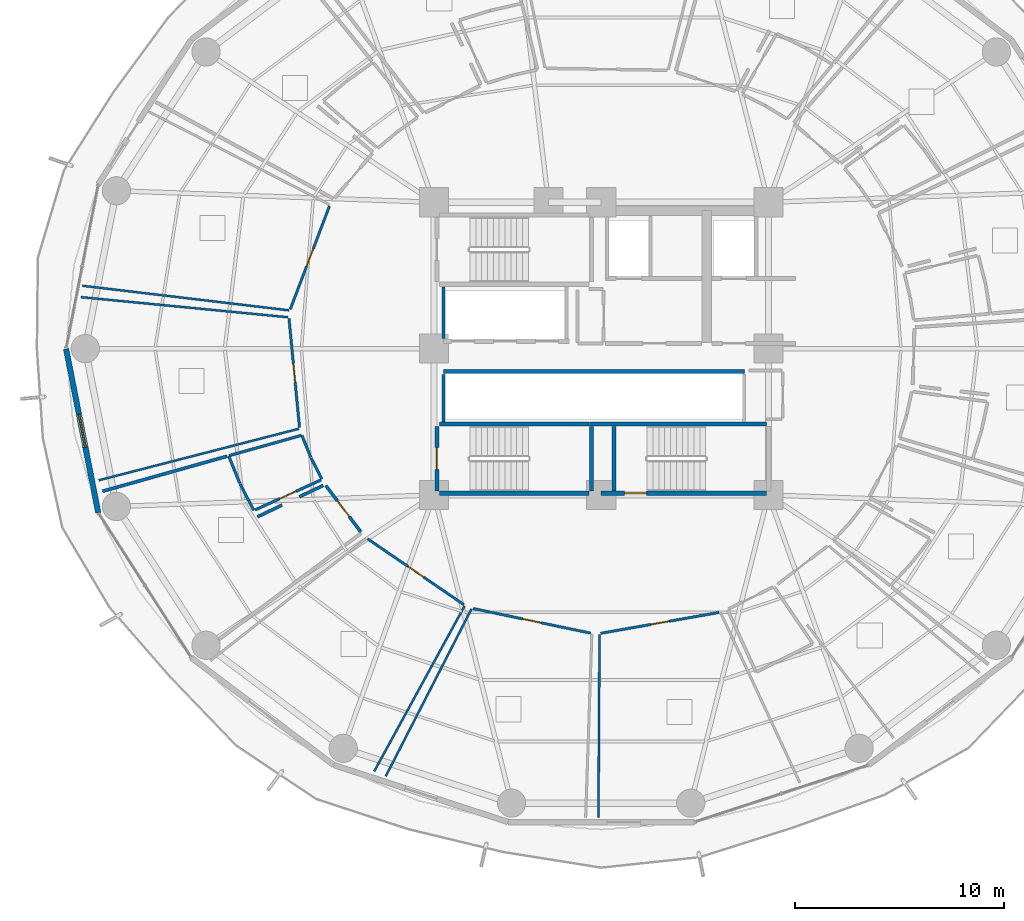
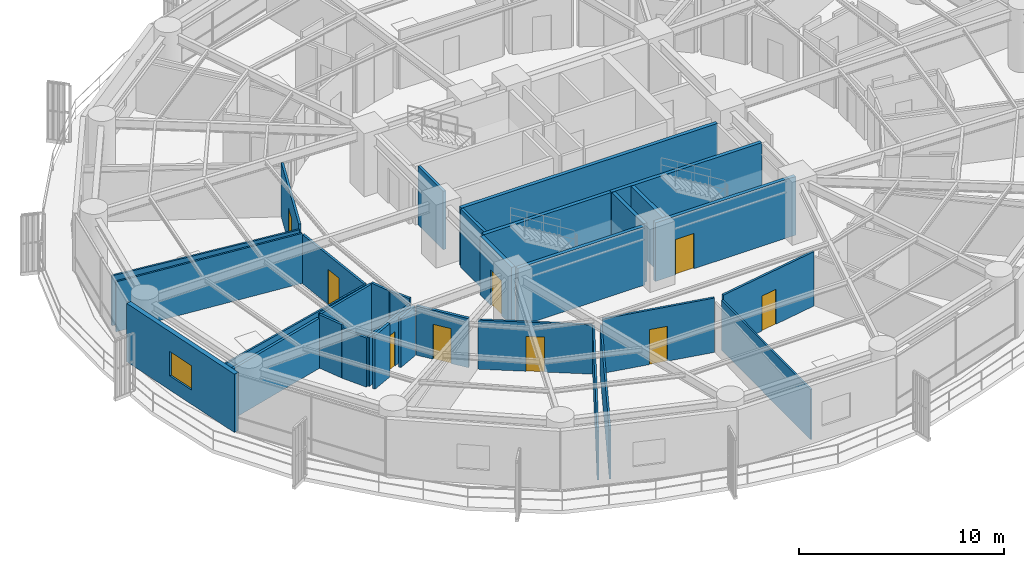
# One storey, part 27 of 36: 32 walls, 9 doors, 1 window, 10 openings.
"""IFC4 building model written with IfcOpenShell, lengths in metres."""

from ifc_helpers import new_model, si_unit, direction, frame, frame_2d, origin, place, context, subcontext, project, spatial, rectangle, extrude, material, layer, layer_set, type_object, element, fill, save


model = new_model("IFC4")

# Units and contexts
model_context = context("Model", 3, precision=1e-05, world=origin(), true_north=direction((0.0, 1.0)))
body_context = subcontext(model_context, "Body", "Model", "MODEL_VIEW")
ifc_project = project(units=[si_unit("LENGTHUNIT", "METRE"), si_unit("AREAUNIT", "SQUARE_METRE"), si_unit("VOLUMEUNIT", "CUBIC_METRE"), si_unit("PLANEANGLEUNIT", "RADIAN"), si_unit("MASSUNIT", "GRAM", prefix="KILO")], contexts=[model_context])

# Site, building, storey
site_placement = place(None, origin())
site = spatial("IfcSite", under=ifc_project, at=site_placement, CompositionType="ELEMENT")
building_placement = place(site_placement, origin())
building = spatial("IfcBuilding", under=site, at=building_placement, Name="Kelanora Arch Commons", CompositionType="ELEMENT")
storey_placement = place(building_placement, frame((0.0, 0.0, 98.85009765625)))
storey = spatial("IfcBuildingStorey", under=building, at=storey_placement, Name="L25", CompositionType="ELEMENT", Elevation=98.85009765625)

# Walls
ifc_material_1 = material(Name="Autoclaved aerated concrete blockwork with fire plaster", Category="masonry")
ifc_layer_1 = layer(ifc_material_1, 0.14990234375)
ifc_layer_set_1 = layer_set([ifc_layer_1], Name="Autoclaved aerated concrete blockwork with fire plaster")
wall_type_1 = type_object("IfcWallType", Name="W-COMP-150", PredefinedType="PARTITIONING", material=ifc_layer_set_1)
wall_1_placement = place(storey_placement, frame((66.4599609375, 58.47998046875, 0.0), z_axis=(0.0, 0.0, 1.0), x_axis=(0.0, 1.0, 0.0)))
element("IfcWall", 1, at=wall_1_placement, inside=storey, type_object=wall_type_1, Name="Low-Rise Lift Bank West Wall L25", PredefinedType="PARTITIONING", context=body_context, shape_type="SweptSolid", body=[
    extrude(rectangle(XDim=2.4599609375, YDim=0.14990234375, at=frame_2d((1.22998046875, 0.0))), origin(), (0.0, 0.0, 1.0), 3.47998046875),
])
wall_2_placement = place(storey_placement, frame((66.4599609375, 54.47998046875, 0.0), z_axis=(0.0, 0.0, 1.0), x_axis=(0.0, 1.0, 0.0)))
element("IfcWall", 2, at=wall_2_placement, inside=storey, type_object=wall_type_1, Name="South Lift Bank West Wall L25", PredefinedType="PARTITIONING", context=body_context, shape_type="SweptSolid", body=[
    extrude(rectangle(XDim=2.2900390625, YDim=0.14990234375, at=frame_2d((1.14501953125, 0.0))), origin(), (0.0, 0.0, 1.0), 3.47998046875),
])

# Wall, opening, door
wall_3_placement = place(storey_placement, frame((60.8271484375, 51.4501953125, 0.0), z_axis=(0.0, 0.0, 1.0), x_axis=(0.602330864847, -0.798246534131, 0.0)))
wall_3 = element("IfcWall", 3, at=wall_3_placement, inside=storey, type_object=wall_type_1, Name="Co-Living Studio L25-09 Entry Partition", PredefinedType="PARTITIONING", context=body_context, shape_type="SweptSolid", body=[
    extrude(rectangle(XDim=2.77880859375, YDim=0.14990234375, at=frame_2d((1.389404296875, 0.0))), origin(), (0.0, 0.0, 1.0), 2.9248046875),
])
opening_1_placement = place(wall_3_placement, frame((0.9140625, 0.0, 0.0)))
opening_1 = element("IfcOpeningElement", 4, at=opening_1_placement, cuts=wall_3, Name="Opening D-CLU1", PredefinedType="OPENING", context=body_context, shape_type="SweptSolid", body=[
    extrude(rectangle(XDim=0.949951171875, YDim=2.080078125, at=frame_2d((0.47509765625, 1.0400390625))), frame((0.0, 0.0849609375, 0.0), z_axis=(0.0, -1.0, 0.0), x_axis=(1.0, 0.0, 0.0)), (0.0, 0.0, 1.0), 0.169921875),
])
ifc_material_2 = material(Name="Solid-core acoustic timber cluster entry fire door", Category="wood")
door_type_1 = type_object("IfcDoorType", Name="D-CLU-95", OperationType="NOTDEFINED", PredefinedType="DOOR", material=ifc_material_2)
door_1_placement = place(opening_1_placement, origin())
door_1 = element("IfcDoor", 5, at=door_1_placement, inside=storey, type_object=door_type_1, Name="Co-Living Studio L25-09 Door", OperationType="SINGLE_SWING_LEFT", OverallHeight=2.080078125, OverallWidth=0.949951171875, PredefinedType="DOOR", context=body_context, shape_type="SweptSolid", body=[
    extrude(rectangle(XDim=0.949951171875, YDim=2.080078125, at=frame_2d((0.47509765625, 1.0400390625))), frame((0.0, 0.02490234375, 0.0), z_axis=(0.0, -1.0, 0.0), x_axis=(1.0, 0.0, 0.0)), (0.0, 0.0, 1.0), 0.050048828125),
])
fill(opening_1, door_1)

# Walls
wall_4_placement = place(storey_placement, frame((50.1455078125, 51.17578125, 0.0), z_axis=(0.0, 0.0, 1.0), x_axis=(0.962685643461, 0.270622157028, 0.0)))
element("IfcWall", 6, at=wall_4_placement, inside=storey, type_object=wall_type_1, Name="Co-Living Studio L25-09 Enclosure Partition 5", PredefinedType="PARTITIONING", context=body_context, shape_type="SweptSolid", body=[
    extrude(rectangle(XDim=6.18701171875, YDim=0.14990234375, at=frame_2d((3.093505859375, 0.0))), origin(), (0.0, 0.0, 1.0), 2.974853515625),
])
wall_5_placement = place(storey_placement, frame((57.55908203125, 49.953125, 0.0), z_axis=(0.0, 0.0, 1.0), x_axis=(0.902185129063, 0.431349038364, 0.0)))
element("IfcWall", 7, at=wall_5_placement, inside=storey, type_object=wall_type_1, Name="Co-Living Studio L25-09 Enclosure Partition 7", PredefinedType="PARTITIONING", context=body_context, shape_type="SweptSolid", body=[
    extrude(rectangle(XDim=1.29833984375, YDim=0.14990234375, at=frame_2d((0.649169921875, 0.0))), origin(), (0.0, 0.0, 1.0), 3.1748046875),
])
wall_6_placement = place(storey_placement, frame((59.560546875, 50.909912109375, 0.0), z_axis=(0.0, 0.0, 1.0), x_axis=(0.902228812368, 0.431257660955, 0.0)))
element("IfcWall", 8, at=wall_6_placement, inside=storey, type_object=wall_type_1, Name="Co-Living Studio L25-09 Enclosure Partition 7", PredefinedType="PARTITIONING", context=body_context, shape_type="SweptSolid", body=[
    extrude(rectangle(XDim=1.266357421875, YDim=0.14990234375, at=frame_2d((0.63330078125, 0.0))), origin(), (0.0, 0.0, 1.0), 2.9248046875),
])

# Wall, opening, window
ifc_material_3 = material(Name="Precast concrete C40/50 with terracotta rainscreen", Category="masonry")
ifc_layer_2 = layer(ifc_material_3, 0.260009765625)
ifc_layer_set_2 = layer_set([ifc_layer_2], Name="Precast concrete C40/50 with terracotta rainscreen")
wall_type_2 = type_object("IfcWallType", Name="W-EXT-TC", PredefinedType="SOLIDWALL", material=ifc_layer_set_2)
wall_7_placement = place(storey_placement, frame((48.40283203125, 57.9853515625, 0.0), z_axis=(0.0, 0.0, 1.0), x_axis=(0.192581843632, -0.981280914674, 0.0)))
wall_7 = element("IfcWall", 9, at=wall_7_placement, inside=storey, type_object=wall_type_2, Name="Terracotta Exterior Wall L25-B09", PredefinedType="SOLIDWALL", context=body_context, shape_type="SweptSolid", body=[
    extrude(rectangle(XDim=7.986572265625, YDim=0.260009765625, at=frame_2d((3.9931640625, 0.0))), origin(), (0.0, 0.0, 1.0), 3.474853515625),
])
opening_2_placement = place(wall_7_placement, frame((3.193115234375, 0.0, 0.85009765625)))
opening_2 = element("IfcOpeningElement", 10, at=opening_2_placement, cuts=wall_7, Name="Opening WN-01", PredefinedType="OPENING", context=body_context, shape_type="SweptSolid", body=[
    extrude(rectangle(XDim=1.60009765625, YDim=1.449951171875, at=frame_2d((0.800048828125, 0.72509765625))), frame((0.0, 0.14013671875, 0.0), z_axis=(0.0, -1.0, 0.0), x_axis=(1.0, 0.0, 0.0)), (0.0, 0.0, 1.0), 0.280029296875),
])
ifc_material_4 = material(Name="Terracotta-anodised aluminium frame with operable low-E glazing", Category="masonry")
window_type = type_object("IfcWindowType", Name="WIN-CL-18", PartitioningType="DOUBLE_PANEL_VERTICAL", PredefinedType="WINDOW", material=ifc_material_4)
window_placement = place(opening_2_placement, origin())
window = element("IfcWindow", 11, at=window_placement, inside=storey, type_object=window_type, Name="Co-Living Operable Window L25-B09", OverallHeight=1.449951171875, OverallWidth=1.60009765625, PartitioningType="SINGLE_PANEL", PredefinedType="WINDOW", context=body_context, shape_type="SweptSolid", body=[
    extrude(rectangle(XDim=1.60009765625, YDim=1.449951171875, at=frame_2d((0.800048828125, 0.72509765625))), frame((0.0, 0.030029296875, 0.0), z_axis=(0.0, -1.0, 0.0), x_axis=(1.0, 0.0, 0.0)), (0.0, 0.0, 1.0), 0.06005859375),
])
fill(opening_2, window)

# Walls
ifc_material_5 = material(Name="Concrete C40/50", Category="concrete")
ifc_layer_3 = layer(ifc_material_5, 0.199951171875)
ifc_layer_set_3 = layer_set([ifc_layer_3], Name="Concrete C40/50")
wall_type_3 = type_object("IfcWallType", Name="W-FFL-200", PredefinedType="SOLIDWALL", material=ifc_layer_set_3)
wall_8_placement = place(storey_placement, frame((66.449951171875, 56.89990234375, 0.0), z_axis=(0.0, 0.0, 1.0), x_axis=(1.0, 0.0, 0.0)))
element("IfcWall", 12, at=wall_8_placement, inside=storey, type_object=wall_type_3, Name="Mid/High/Express Lift Shaft Front L25", PredefinedType="SOLIDWALL", context=body_context, shape_type="SweptSolid", body=[
    extrude(rectangle(XDim=14.400146484375, YDim=0.199951171875, at=frame_2d((7.2001953125, 0.0))), origin(), (0.0, 0.0, 1.0), 3.47998046875),
])
ifc_material_6 = material(Name="Lightweight fire-rated acoustic stud partition")
ifc_layer_4 = layer(ifc_material_6, 0.10009765625)
ifc_layer_set_4 = layer_set([ifc_layer_4], Name="Lightweight fire-rated acoustic stud partition")
wall_type_4 = type_object("IfcWallType", Name="W-PART-100", PredefinedType="PARTITIONING", material=ifc_layer_set_4)
wall_9_placement = place(storey_placement, frame((59.06640625, 59.830810546875, 0.0), z_axis=(0.0, 0.0, 1.0), x_axis=(-0.99298532521, 0.118237658624, 0.0)))
element("IfcWall", 13, at=wall_9_placement, inside=storey, type_object=wall_type_4, Name="Social Sky Lounge L25-07 Enclosure Partition 2", PredefinedType="PARTITIONING", context=body_context, shape_type="SweptSolid", body=[
    extrude(rectangle(XDim=9.950439453125, YDim=0.10009765625, at=frame_2d((4.97509765625, 0.0))), origin(), (0.0, 0.0, 1.0), 2.974853515625),
])
wall_10_placement = place(storey_placement, frame((59.535400390625, 54.1650390625, 0.0), z_axis=(0.0, 0.0, 1.0), x_axis=(-0.968404670054, -0.249384031201, 0.0)))
element("IfcWall", 14, at=wall_10_placement, inside=storey, type_object=wall_type_4, Name="Quiet Seminar Study Room L25-08 Enclosure Partition 2", PredefinedType="PARTITIONING", context=body_context, shape_type="SweptSolid", body=[
    extrude(rectangle(XDim=9.880859375, YDim=0.10009765625, at=frame_2d((4.9404296875, 0.0))), origin(), (0.0, 0.0, 1.0), 2.974853515625),
])
wall_11_placement = place(storey_placement, frame((49.11083984375, 60.463134765625, 0.0), z_axis=(0.0, 0.0, 1.0), x_axis=(0.995310801703, -0.096728527399, 0.0)))
element("IfcWall", 15, at=wall_11_placement, inside=storey, type_object=wall_type_4, Name="Quiet Seminar Study Room L25-08 Enclosure Partition 4", PredefinedType="PARTITIONING", context=body_context, shape_type="SweptSolid", body=[
    extrude(rectangle(XDim=9.95703125, YDim=0.10009765625, at=frame_2d((4.978515625, 0.0))), origin(), (0.0, 0.0, 1.0), 2.974853515625),
])
wall_12_placement = place(storey_placement, frame((67.462890625, 45.682861328125, 0.0), z_axis=(0.0, 0.0, 1.0), x_axis=(-0.479571724153, -0.87750268455, 0.0)))
element("IfcWall", 16, at=wall_12_placement, inside=storey, type_object=wall_type_4, Name="Communal Dining and Social Hall L25-10 Enclosure Partition 2", PredefinedType="PARTITIONING", context=body_context, shape_type="SweptSolid", body=[
    extrude(rectangle(XDim=9.007080078125, YDim=0.10009765625, at=frame_2d((4.50341796875, 0.0))), origin(), (0.0, 0.0, 1.0), 2.9248046875),
])
wall_13_placement = place(storey_placement, frame((63.697265625, 37.547607421875, 0.0), z_axis=(0.0, 0.0, 1.0), x_axis=(0.456266444918, 0.889843205987, 0.0)))
element("IfcWall", 17, at=wall_13_placement, inside=storey, type_object=wall_type_4, Name="Quiet Seminar Study Room L25-11 Enclosure Partition 4", PredefinedType="PARTITIONING", context=body_context, shape_type="SweptSolid", body=[
    extrude(rectangle(XDim=8.984619140625, YDim=0.10009765625, at=frame_2d((4.4921875, 0.0))), origin(), (0.0, 0.0, 1.0), 2.9248046875),
])
wall_14_placement = place(storey_placement, frame((73.869140625, 35.56005859375, 0.0), z_axis=(0.0, 0.0, 1.0), x_axis=(0.005901573079, 0.999982585566, 0.0)))
element("IfcWall", 18, at=wall_14_placement, inside=storey, type_object=wall_type_4, Name="Quiet Seminar Study Room L25-12 Enclosure Partition 4", PredefinedType="PARTITIONING", context=body_context, shape_type="SweptSolid", body=[
    extrude(rectangle(XDim=8.770263671875, YDim=0.10009765625, at=frame_2d((4.38525390625, 0.0))), origin(), (0.0, 0.0, 1.0), 2.974853515625),
])

# Wall, opening, door
ifc_material_7 = material(Name="Acoustic twin-stud fire-rated gypsum partition")
ifc_layer_5 = layer(ifc_material_7, 0.1201171875)
ifc_layer_set_5 = layer_set([ifc_layer_5], Name="Acoustic twin-stud fire-rated gypsum partition")
wall_type_5 = type_object("IfcWallType", Name="W-PART-120", PredefinedType="PARTITIONING", material=ifc_layer_set_5)
wall_15_placement = place(storey_placement, frame((61.001708984375, 64.82080078125, 0.0), z_axis=(0.0, 0.0, 1.0), x_axis=(-0.354853458438, -0.934921934193, 0.0)))
wall_15 = element("IfcWall", 19, at=wall_15_placement, inside=storey, type_object=wall_type_5, Name="Social Sky Lounge L25-07 Entry Partition", PredefinedType="PARTITIONING", context=body_context, shape_type="SweptSolid", body=[
    extrude(rectangle(XDim=5.282470703125, YDim=0.1201171875, at=frame_2d((2.64111328125, 0.0))), origin(), (0.0, 0.0, 1.0), 3.23486328125),
])
opening_3_placement = place(wall_15_placement, frame((2.19091796875, 0.0, 0.0)))
opening_3 = element("IfcOpeningElement", 20, at=opening_3_placement, cuts=wall_15, Name="Opening D-RM1", PredefinedType="OPENING", context=body_context, shape_type="SweptSolid", body=[
    extrude(rectangle(XDim=0.89990234375, YDim=2.080078125, at=frame_2d((0.449951171875, 1.0400390625))), frame((0.0, 0.070068359375, 0.0), z_axis=(0.0, -1.0, 0.0), x_axis=(1.0, 0.0, 0.0)), (0.0, 0.0, 1.0), 0.14013671875),
])
ifc_material_8 = material(Name="Acoustic fire-rated timber study and lounge door", Category="wood")
door_type_2 = type_object("IfcDoorType", Name="D-ROOM-90", OperationType="NOTDEFINED", PredefinedType="DOOR", material=ifc_material_8)
door_2_placement = place(opening_3_placement, origin())
door_2 = element("IfcDoor", 21, at=door_2_placement, inside=storey, type_object=door_type_2, Name="Social Sky Lounge L25-07 Door", OperationType="SINGLE_SWING_RIGHT", OverallHeight=2.080078125, OverallWidth=0.89990234375, PredefinedType="DOOR", context=body_context, shape_type="SweptSolid", body=[
    extrude(rectangle(XDim=0.89990234375, YDim=2.080078125, at=frame_2d((0.449951171875, 1.0400390625))), frame((0.0, 0.02490234375, 0.0), z_axis=(0.0, -1.0, 0.0), x_axis=(1.0, 0.0, 0.0)), (0.0, 0.0, 1.0), 0.050048828125),
])
fill(opening_3, door_2)

wall_16_placement = place(storey_placement, frame((59.06689453125, 59.436279296875, 0.0), z_axis=(0.0, 0.0, 1.0), x_axis=(0.095913591475, -0.995389663886, 0.0)))
wall_16 = element("IfcWall", 22, at=wall_16_placement, inside=storey, type_object=wall_type_5, Name="Quiet Seminar Study Room L25-08 Entry Partition", PredefinedType="PARTITIONING", context=body_context, shape_type="SweptSolid", body=[
    extrude(rectangle(XDim=5.225830078125, YDim=0.1201171875, at=frame_2d((2.61279296875, 0.0))), origin(), (0.0, 0.0, 1.0), 2.9248046875),
])
opening_4_placement = place(wall_16_placement, frame((2.1630859375, 0.0, 0.0)))
opening_4 = element("IfcOpeningElement", 23, at=opening_4_placement, cuts=wall_16, Name="Opening D-RM1", PredefinedType="OPENING", context=body_context, shape_type="SweptSolid", body=[
    extrude(rectangle(XDim=0.89990234375, YDim=2.080078125, at=frame_2d((0.449951171875, 1.0400390625))), frame((0.0, 0.070068359375, 0.0), z_axis=(0.0, -1.0, 0.0), x_axis=(1.0, 0.0, 0.0)), (0.0, 0.0, 1.0), 0.14013671875),
])
door_3_placement = place(opening_4_placement, origin())
door_3 = element("IfcDoor", 24, at=door_3_placement, inside=storey, type_object=door_type_2, Name="Quiet Seminar Study Room L25-08 Door", OperationType="SINGLE_SWING_LEFT", OverallHeight=2.080078125, OverallWidth=0.89990234375, PredefinedType="DOOR", context=body_context, shape_type="SweptSolid", body=[
    extrude(rectangle(XDim=0.89990234375, YDim=2.080078125, at=frame_2d((0.449951171875, 1.0400390625))), frame((0.0, 0.02490234375, 0.0), z_axis=(0.0, -1.0, 0.0), x_axis=(1.0, 0.0, 0.0)), (0.0, 0.0, 1.0), 0.050048828125),
])
fill(opening_4, door_3)

wall_17_placement = place(storey_placement, frame((62.827392578125, 48.899169921875, 0.0), z_axis=(0.0, 0.0, 1.0), x_axis=(0.825618475233, -0.564228795219, 0.0)))
wall_17 = element("IfcWall", 25, at=wall_17_placement, inside=storey, type_object=wall_type_5, Name="Communal Dining and Social Hall L25-10 Entry Partition", PredefinedType="PARTITIONING", context=body_context, shape_type="SweptSolid", body=[
    extrude(rectangle(XDim=5.577880859375, YDim=0.1201171875, at=frame_2d((2.7890625, 0.0))), origin(), (0.0, 0.0, 1.0), 2.9248046875),
])
opening_5_placement = place(wall_17_placement, frame((2.339111328125, 0.0, 0.0)))
opening_5 = element("IfcOpeningElement", 26, at=opening_5_placement, cuts=wall_17, Name="Opening D-RM1", PredefinedType="OPENING", context=body_context, shape_type="SweptSolid", body=[
    extrude(rectangle(XDim=0.89990234375, YDim=2.080078125, at=frame_2d((0.449951171875, 1.0400390625))), frame((0.0, 0.070068359375, 0.0), z_axis=(0.0, -1.0, 0.0), x_axis=(1.0, 0.0, 0.0)), (0.0, 0.0, 1.0), 0.14013671875),
])
door_4_placement = place(opening_5_placement, origin())
door_4 = element("IfcDoor", 27, at=door_4_placement, inside=storey, type_object=door_type_2, Name="Communal Dining and Social Hall L25-10 Door", OperationType="SINGLE_SWING_RIGHT", OverallHeight=2.080078125, OverallWidth=0.89990234375, PredefinedType="DOOR", context=body_context, shape_type="SweptSolid", body=[
    extrude(rectangle(XDim=0.89990234375, YDim=2.080078125, at=frame_2d((0.449951171875, 1.0400390625))), frame((0.0, 0.02490234375, 0.0), z_axis=(0.0, -1.0, 0.0), x_axis=(1.0, 0.0, 0.0)), (0.0, 0.0, 1.0), 0.050048828125),
])
fill(opening_5, door_4)

wall_18_placement = place(storey_placement, frame((67.873779296875, 45.565673828125, 0.0), z_axis=(0.0, 0.0, 1.0), x_axis=(0.978759890472, -0.205009943184, 0.0)))
wall_18 = element("IfcWall", 28, at=wall_18_placement, inside=storey, type_object=wall_type_5, Name="Quiet Seminar Study Room L25-11 Entry Partition", PredefinedType="PARTITIONING", context=body_context, shape_type="SweptSolid", body=[
    extrude(rectangle(XDim=5.74365234375, YDim=0.1201171875, at=frame_2d((2.871826171875, 0.0))), origin(), (0.0, 0.0, 1.0), 3.23486328125),
])
opening_6_placement = place(wall_18_placement, frame((2.422119140625, 0.0, 0.0)))
opening_6 = element("IfcOpeningElement", 29, at=opening_6_placement, cuts=wall_18, Name="Opening D-RM1", PredefinedType="OPENING", context=body_context, shape_type="SweptSolid", body=[
    extrude(rectangle(XDim=0.89990234375, YDim=2.080078125, at=frame_2d((0.449951171875, 1.0400390625))), frame((0.0, 0.070068359375, 0.0), z_axis=(0.0, -1.0, 0.0), x_axis=(1.0, 0.0, 0.0)), (0.0, 0.0, 1.0), 0.14013671875),
])
door_5_placement = place(opening_6_placement, origin())
door_5 = element("IfcDoor", 30, at=door_5_placement, inside=storey, type_object=door_type_2, Name="Quiet Seminar Study Room L25-11 Door", OperationType="SINGLE_SWING_LEFT", OverallHeight=2.080078125, OverallWidth=0.89990234375, PredefinedType="DOOR", context=body_context, shape_type="SweptSolid", body=[
    extrude(rectangle(XDim=0.89990234375, YDim=2.080078125, at=frame_2d((0.449951171875, 1.0400390625))), frame((0.0, 0.02490234375, 0.0), z_axis=(0.0, -1.0, 0.0), x_axis=(1.0, 0.0, 0.0)), (0.0, 0.0, 1.0), 0.050048828125),
])
fill(opening_6, door_5)

wall_19_placement = place(storey_placement, frame((73.97998046875, 44.38037109375, 0.0), z_axis=(0.0, 0.0, 1.0), x_axis=(0.984819435921, 0.17358190756, 0.0)))
wall_19 = element("IfcWall", 31, at=wall_19_placement, inside=storey, type_object=wall_type_5, Name="Quiet Seminar Study Room L25-12 Entry Partition", PredefinedType="PARTITIONING", context=body_context, shape_type="SweptSolid", body=[
    extrude(rectangle(XDim=5.751220703125, YDim=0.1201171875, at=frame_2d((2.87548828125, 0.0))), origin(), (0.0, 0.0, 1.0), 3.23486328125),
])
opening_7_placement = place(wall_19_placement, frame((2.426025390625, 0.0, 0.0)))
opening_7 = element("IfcOpeningElement", 32, at=opening_7_placement, cuts=wall_19, Name="Opening D-RM1", PredefinedType="OPENING", context=body_context, shape_type="SweptSolid", body=[
    extrude(rectangle(XDim=0.89990234375, YDim=2.080078125, at=frame_2d((0.449951171875, 1.0400390625))), frame((0.0, 0.070068359375, 0.0), z_axis=(0.0, -1.0, 0.0), x_axis=(1.0, 0.0, 0.0)), (0.0, 0.0, 1.0), 0.14013671875),
])
door_6_placement = place(opening_7_placement, origin())
door_6 = element("IfcDoor", 33, at=door_6_placement, inside=storey, type_object=door_type_2, Name="Quiet Seminar Study Room L25-12 Door", OperationType="SINGLE_SWING_RIGHT", OverallHeight=2.080078125, OverallWidth=0.89990234375, PredefinedType="DOOR", context=body_context, shape_type="SweptSolid", body=[
    extrude(rectangle(XDim=0.89990234375, YDim=2.080078125, at=frame_2d((0.449951171875, 1.0400390625))), frame((0.0, 0.02490234375, 0.0), z_axis=(0.0, -1.0, 0.0), x_axis=(1.0, 0.0, 0.0)), (0.0, 0.0, 1.0), 0.050048828125),
])
fill(opening_7, door_6)

ifc_layer_6 = layer(ifc_material_5, 0.199951171875)
ifc_layer_set_6 = layer_set([ifc_layer_6], Name="Concrete C40/50")
wall_type_6 = type_object("IfcWallType", Name="W-STAIR-200", PredefinedType="SHEAR", material=ifc_layer_set_6)
wall_20_placement = place(storey_placement, frame((74.0, 51.080078125, 0.0), z_axis=(0.0, 0.0, 1.0), x_axis=(1.0, 0.0, 0.0)))
wall_20 = element("IfcWall", 34, at=wall_20_placement, inside=storey, type_object=wall_type_6, Name="Stair ST-T2 Shaft Wall S L25", PredefinedType="SHEAR", context=body_context, shape_type="SweptSolid", body=[
    extrude(rectangle(XDim=7.89990234375, YDim=0.199951171875, at=frame_2d((3.949951171875, 0.0))), origin(), (0.0, 0.0, 1.0), 3.489990234375),
])
opening_8_placement = place(wall_20_placement, frame((1.1201171875, 0.0, 0.0)))
opening_8 = element("IfcOpeningElement", 35, at=opening_8_placement, cuts=wall_20, Name="Opening D-ST1", PredefinedType="OPENING", context=body_context, shape_type="SweptSolid", body=[
    extrude(rectangle(XDim=1.050048828125, YDim=2.10009765625, at=frame_2d((0.52490234375, 1.050048828125))), frame((0.0, 0.10986328125, 0.0), z_axis=(0.0, -1.0, 0.0), x_axis=(1.0, 0.0, 0.0)), (0.0, 0.0, 1.0), 0.219970703125),
])
ifc_material_9 = material(Name="Steel fire-rated stairwell escape door", Category="steel")
door_type_3 = type_object("IfcDoorType", Name="D-STAIR-110", OperationType="NOTDEFINED", PredefinedType="DOOR", material=ifc_material_9)
door_7_placement = place(opening_8_placement, origin())
door_7 = element("IfcDoor", 36, at=door_7_placement, inside=storey, type_object=door_type_3, Name="Stair ST-T2 Escape Door L25", OperationType="SINGLE_SWING_LEFT", OverallHeight=2.10009765625, OverallWidth=1.050048828125, PredefinedType="DOOR", context=body_context, shape_type="SweptSolid", body=[
    extrude(rectangle(XDim=1.050048828125, YDim=2.10009765625, at=frame_2d((0.52490234375, 1.050048828125))), frame((0.0, 0.02490234375, 0.0), z_axis=(0.0, -1.0, 0.0), x_axis=(1.0, 0.0, 0.0)), (0.0, 0.0, 1.0), 0.050048828125),
])
fill(opening_8, door_7)

# Walls
wall_21_placement = place(storey_placement, frame((81.89990234375, 54.389892578125, 0.0), z_axis=(0.0, 0.0, 1.0), x_axis=(-1.0, 0.0, 0.0)))
element("IfcWall", 37, at=wall_21_placement, inside=storey, type_object=wall_type_6, Name="Stair ST-T2 Shaft Wall N L25", PredefinedType="SHEAR", context=body_context, shape_type="SweptSolid", body=[
    extrude(rectangle(XDim=8.4599609375, YDim=0.199951171875, at=frame_2d((4.22998046875, 0.0))), origin(), (0.0, 0.0, 1.0), 3.489990234375),
])
wall_22_placement = place(storey_placement, frame((74.6201171875, 54.27001953125, 0.0), z_axis=(0.0, 0.0, 1.0), x_axis=(0.0, -1.0, 0.0)))
element("IfcWall", 38, at=wall_22_placement, inside=storey, type_object=wall_type_6, Name="Stair ST-T2 Shaft Wall W L25", PredefinedType="SHEAR", context=body_context, shape_type="SweptSolid", body=[
    extrude(rectangle(XDim=3.070068359375, YDim=0.199951171875, at=frame_2d((1.53515625, 0.0))), origin(), (0.0, 0.0, 1.0), 3.489990234375),
])
wall_23_placement = place(storey_placement, frame((66.260009765625, 51.080078125, 0.0), z_axis=(0.0, 0.0, 1.0), x_axis=(1.0, 0.0, 0.0)))
element("IfcWall", 39, at=wall_23_placement, inside=storey, type_object=wall_type_6, Name="Stair ST-T3 Shaft Wall S L25", PredefinedType="SHEAR", context=body_context, shape_type="SweptSolid", body=[
    extrude(rectangle(XDim=7.159912109375, YDim=0.199951171875, at=frame_2d((3.580078125, 0.0))), origin(), (0.0, 0.0, 1.0), 3.489990234375),
])
wall_24_placement = place(storey_placement, frame((73.5400390625, 51.199951171875, 0.0), z_axis=(0.0, 0.0, 1.0), x_axis=(0.0, 1.0, 0.0)))
element("IfcWall", 40, at=wall_24_placement, inside=storey, type_object=wall_type_6, Name="Stair ST-T3 Shaft Wall E L25", PredefinedType="SHEAR", context=body_context, shape_type="SweptSolid", body=[
    extrude(rectangle(XDim=3.070068359375, YDim=0.199951171875, at=frame_2d((1.53515625, 0.0))), origin(), (0.0, 0.0, 1.0), 3.489990234375),
])
wall_25_placement = place(storey_placement, frame((73.419921875, 54.389892578125, 0.0), z_axis=(0.0, 0.0, 1.0), x_axis=(-1.0, 0.0, 0.0)))
element("IfcWall", 41, at=wall_25_placement, inside=storey, type_object=wall_type_6, Name="Stair ST-T3 Shaft Wall N L25", PredefinedType="SHEAR", context=body_context, shape_type="SweptSolid", body=[
    extrude(rectangle(XDim=7.159912109375, YDim=0.199951171875, at=frame_2d((3.580078125, 0.0))), origin(), (0.0, 0.0, 1.0), 3.489990234375),
])

# Wall, opening, door
wall_26_placement = place(storey_placement, frame((66.139892578125, 54.27001953125, 0.0), z_axis=(0.0, 0.0, 1.0), x_axis=(0.0, -1.0, 0.0)))
wall_26 = element("IfcWall", 42, at=wall_26_placement, inside=storey, type_object=wall_type_6, Name="Stair ST-T3 Shaft Wall W L25", PredefinedType="SHEAR", context=body_context, shape_type="SweptSolid", body=[
    extrude(rectangle(XDim=3.070068359375, YDim=0.199951171875, at=frame_2d((1.53515625, 0.0))), origin(), (0.0, 0.0, 1.0), 3.489990234375),
])
opening_9_placement = place(wall_26_placement, frame((1.010009765625, 0.0, 0.0)))
opening_9 = element("IfcOpeningElement", 43, at=opening_9_placement, cuts=wall_26, Name="Opening D-ST1", PredefinedType="OPENING", context=body_context, shape_type="SweptSolid", body=[
    extrude(rectangle(XDim=1.050048828125, YDim=2.10009765625, at=frame_2d((0.52490234375, 1.050048828125))), frame((0.0, 0.10986328125, 0.0), z_axis=(0.0, -1.0, 0.0), x_axis=(1.0, 0.0, 0.0)), (0.0, 0.0, 1.0), 0.219970703125),
])
door_8_placement = place(opening_9_placement, origin())
door_8 = element("IfcDoor", 44, at=door_8_placement, inside=storey, type_object=door_type_3, Name="Stair ST-T3 Escape Door L25", OperationType="SINGLE_SWING_LEFT", OverallHeight=2.10009765625, OverallWidth=1.050048828125, PredefinedType="DOOR", context=body_context, shape_type="SweptSolid", body=[
    extrude(rectangle(XDim=1.050048828125, YDim=2.10009765625, at=frame_2d((0.52490234375, 1.050048828125))), frame((0.0, 0.02490234375, 0.0), z_axis=(0.0, -1.0, 0.0), x_axis=(1.0, 0.0, 0.0)), (0.0, 0.0, 1.0), 0.050048828125),
])
fill(opening_9, door_8)

ifc_material_10 = material(Name="Moisture-resistant fire-rated cement-board plumbing wall")
ifc_layer_7 = layer(ifc_material_10, 0.1298828125)
ifc_layer_set_7 = layer_set([ifc_layer_7], Name="Moisture-resistant fire-rated cement-board plumbing wall")
wall_type_7 = type_object("IfcWallType", Name="W-WET-120", PredefinedType="PLUMBINGWALL", material=ifc_layer_set_7)
wall_27_placement = place(storey_placement, frame((60.594482421875, 51.714111328125, 0.0), z_axis=(0.0, 0.0, 1.0), x_axis=(-0.910380938799, -0.413771127885, 0.0)))
wall_27 = element("IfcWall", 45, at=wall_27_placement, inside=storey, type_object=wall_type_7, Name="En-Suite Shower WC L25-09 Entry Partition", PredefinedType="PLUMBINGWALL", context=body_context, shape_type="SweptSolid", body=[
    extrude(rectangle(XDim=3.46875, YDim=0.1298828125, at=frame_2d((1.734375, 0.0))), origin(), (0.0, 0.0, 1.0), 2.9248046875),
])
opening_10_placement = place(wall_27_placement, frame((1.303955078125, 0.0, 0.0)))
opening_10 = element("IfcOpeningElement", 46, at=opening_10_placement, cuts=wall_27, Name="Opening D-BT1", PredefinedType="OPENING", context=body_context, shape_type="SweptSolid", body=[
    extrude(rectangle(XDim=0.860107421875, YDim=2.050048828125, at=frame_2d((0.43017578125, 1.02490234375))), frame((0.0, 0.074951171875, 0.0), z_axis=(0.0, -1.0, 0.0), x_axis=(1.0, 0.0, 0.0)), (0.0, 0.0, 1.0), 0.14990234375),
])
ifc_material_11 = material(Name="Moisture-sealed fire-rated accessible bathroom door")
door_type_4 = type_object("IfcDoorType", Name="D-BATH-85", OperationType="NOTDEFINED", PredefinedType="DOOR", material=ifc_material_11)
door_9_placement = place(opening_10_placement, origin())
door_9 = element("IfcDoor", 47, at=door_9_placement, inside=storey, type_object=door_type_4, Name="En-Suite Shower WC L25-09 Door", OperationType="SINGLE_SWING_RIGHT", OverallHeight=2.050048828125, OverallWidth=0.860107421875, PredefinedType="DOOR", context=body_context, shape_type="SweptSolid", body=[
    extrude(rectangle(XDim=0.860107421875, YDim=2.050048828125, at=frame_2d((0.43017578125, 1.02490234375))), frame((0.0, 0.02490234375, 0.0), z_axis=(0.0, -1.0, 0.0), x_axis=(1.0, 0.0, 0.0)), (0.0, 0.0, 1.0), 0.050048828125),
])
fill(opening_10, door_9)

# Walls
wall_28_placement = place(storey_placement, frame((59.6884765625, 53.83740234375, 0.0), z_axis=(0.0, 0.0, 1.0), x_axis=(0.374466649307, -0.927240383372, 0.0)))
element("IfcWall", 48, at=wall_28_placement, inside=storey, type_object=wall_type_7, Name="En-Suite Shower WC L25-09 Enclosure Partition 1", PredefinedType="PLUMBINGWALL", context=body_context, shape_type="SweptSolid", body=[
    extrude(rectangle(XDim=1.121337890625, YDim=0.1298828125, at=frame_2d((0.560546875, 0.0))), origin(), (0.0, 0.0, 1.0), 3.23486328125),
])
wall_29_placement = place(storey_placement, frame((60.125, 52.76123046875, 0.0), z_axis=(0.0, 0.0, 1.0), x_axis=(0.456189291516, -0.889882762113, 0.0)))
element("IfcWall", 49, at=wall_29_placement, inside=storey, type_object=wall_type_7, Name="En-Suite Shower WC L25-09 Enclosure Partition 2", PredefinedType="PLUMBINGWALL", context=body_context, shape_type="SweptSolid", body=[
    extrude(rectangle(XDim=1.128662109375, YDim=0.1298828125, at=frame_2d((0.564453125, 0.0))), origin(), (0.0, 0.0, 1.0), 3.23486328125),
])
wall_30_placement = place(storey_placement, frame((57.372802734375, 50.271728515625, 0.0), z_axis=(0.0, 0.0, 1.0), x_axis=(-0.458147751042, 0.888876053348, 0.0)))
element("IfcWall", 50, at=wall_30_placement, inside=storey, type_object=wall_type_7, Name="En-Suite Shower WC L25-09 Enclosure Partition 4", PredefinedType="PLUMBINGWALL", context=body_context, shape_type="SweptSolid", body=[
    extrude(rectangle(XDim=1.40673828125, YDim=0.1298828125, at=frame_2d((0.703369140625, 0.0))), origin(), (0.0, 0.0, 1.0), 2.9248046875),
])
wall_31_placement = place(storey_placement, frame((56.71142578125, 51.55859375, 0.0), z_axis=(0.0, 0.0, 1.0), x_axis=(-0.376021150564, 0.926611080405, 0.0)))
element("IfcWall", 51, at=wall_31_placement, inside=storey, type_object=wall_type_7, Name="En-Suite Shower WC L25-09 Enclosure Partition 5", PredefinedType="PLUMBINGWALL", context=body_context, shape_type="SweptSolid", body=[
    extrude(rectangle(XDim=1.3984375, YDim=0.1298828125, at=frame_2d((0.69921875, 0.0))), origin(), (0.0, 0.0, 1.0), 3.1748046875),
])
wall_32_placement = place(storey_placement, frame((56.197265625, 52.87841796875, 0.0), z_axis=(0.0, 0.0, 1.0), x_axis=(0.962808829557, 0.270183563023, 0.0)))
element("IfcWall", 52, at=wall_32_placement, inside=storey, type_object=wall_type_7, Name="En-Suite Shower WC L25-09 Enclosure Partition 6", PredefinedType="PLUMBINGWALL", context=body_context, shape_type="SweptSolid", body=[
    extrude(rectangle(XDim=3.59814453125, YDim=0.1298828125, at=frame_2d((1.799072265625, 0.0))), origin(), (0.0, 0.0, 1.0), 3.1748046875),
])

save(model, "model.ifc")
